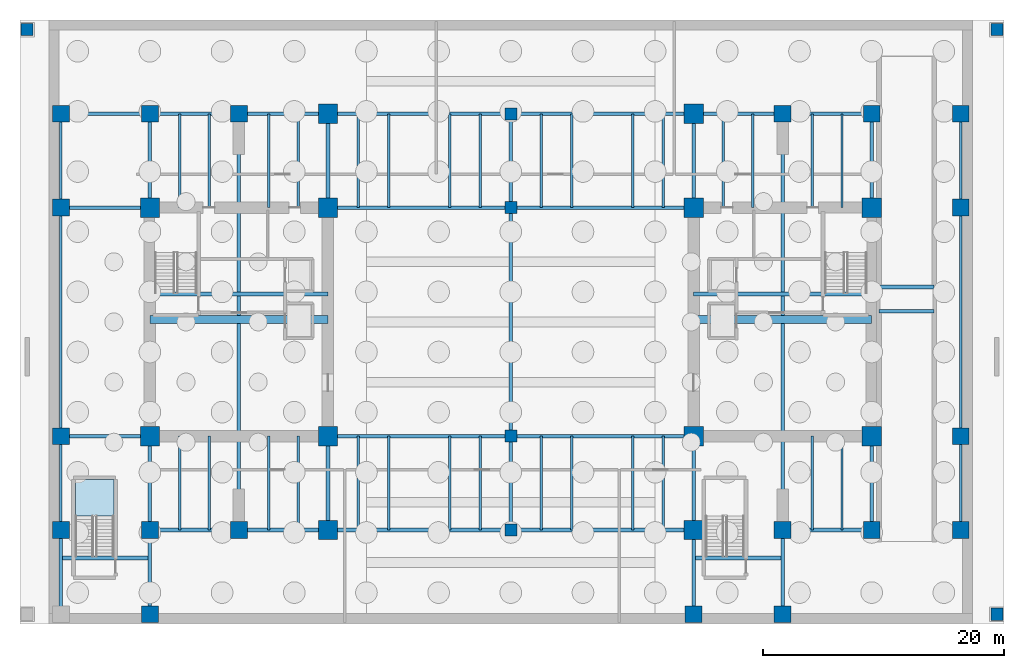
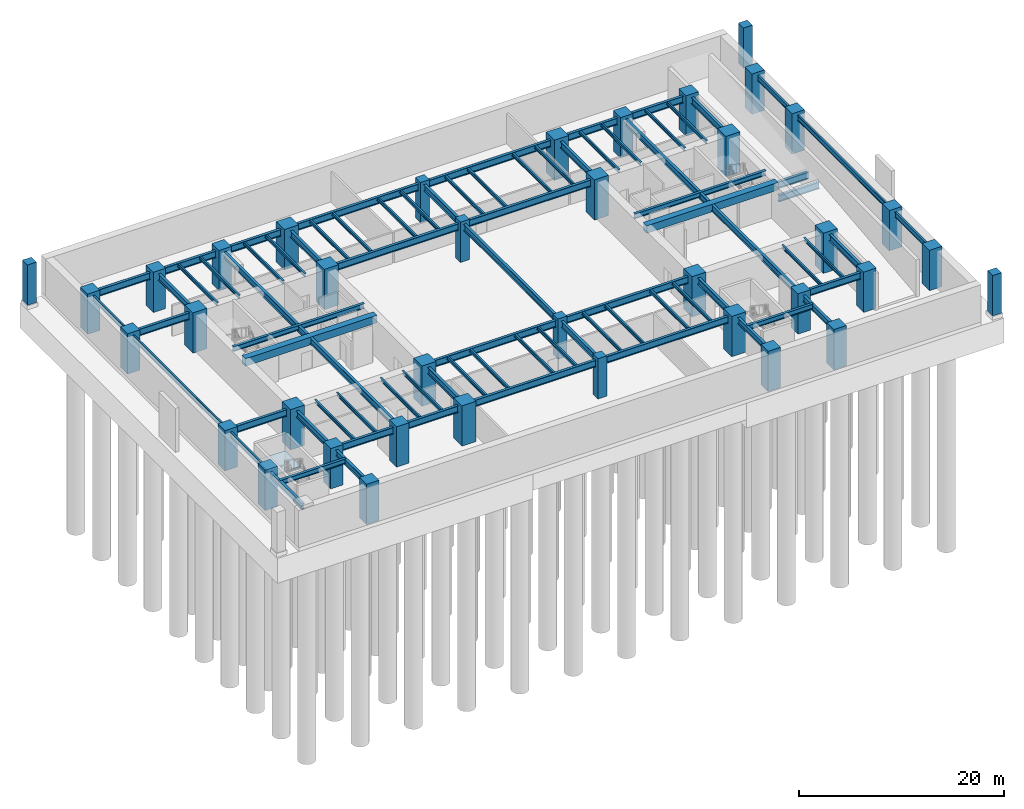
# One storey, part 2 of 8: 79 beams, 38 columns, 1 slab, 1 element without a shape of its own.
"""IFC4 building model written with IfcOpenShell, lengths in metres."""

from ifc_helpers import new_model, si_unit, direction, frame, origin, origin_2d, place, context, subcontext, project, spatial, polyline, rectangle, i_section, outline, extrude, source, transform, mapped, material, layer, layer_set, material_profile, profile_set, type_object, type_shapes, element, aggregate, save


model = new_model("IFC4")

# Units and contexts
model_context = context("Model", 3, precision=1e-05, world=origin(), true_north=direction((0.0, 1.0)))
body_context = subcontext(model_context, "Body", "Model", "MODEL_VIEW")
ifc_project = project(units=[si_unit("LENGTHUNIT", "METRE"), si_unit("AREAUNIT", "SQUARE_METRE"), si_unit("VOLUMEUNIT", "CUBIC_METRE"), si_unit("PLANEANGLEUNIT", "RADIAN"), si_unit("MASSUNIT", "GRAM", prefix="KILO")], contexts=[model_context])

# Site, building, storey
site_placement = place(None, origin())
site = spatial("IfcSite", under=ifc_project, at=site_placement, CompositionType="ELEMENT")
building_placement = place(site_placement, origin())
building = spatial("IfcBuilding", under=site, at=building_placement, Name="Haelvirn Gate Laboratories", CompositionType="ELEMENT")
storey_placement = place(building_placement, frame((0.0, 0.0, -14.39990234375)))
storey = spatial("IfcBuildingStorey", under=building, at=storey_placement, Name="B3", CompositionType="ELEMENT", Elevation=-14.39990234375)

# Columns
ifc_material_1 = material(Name="Concrete C70/85", Category="concrete")
ifc_material_profile_1 = material_profile(ifc_material_1, rectangle(XDim=1.39990234375, YDim=1.39990234375, at=origin_2d()), Name="SRC-1400x1400")
ifc_profile_set_1 = profile_set([ifc_material_profile_1], Name="Concrete C70/85")
column_type_1 = type_object("IfcColumnType", Name="COL-SRC-1400", PredefinedType="COLUMN", material=ifc_profile_set_1)
shared_shape_1 = source(origin(), body_context, "Body", "SweptSolid", [
    extrude(rectangle(XDim=1.39990234375, YDim=1.39990234375, at=origin_2d()), origin(), (0.0, 0.0, 1.0), 4.7998046875),
])
type_shapes(column_type_1, [shared_shape_1])
for number, where, z_axis, x_axis, name in (
    (1, (14.800048828125, 7.0, 0.0), (0.0, 0.0, 1.0), (1.0, 0.0, 0.0), "B3 Column 3B"),
    (2, (14.800048828125, 41.60009765625, 0.0), (0.0, 0.0, 1.0), (1.0, 0.0, 0.0), "B3 Column 3G"),
    (3, (60.0, 7.0, 0.0), (0.0, 0.0, 1.0), (1.0, 0.0, 0.0), "B3 Column 9B"),
    (4, (60.0, 41.60009765625, 0.0), (0.0, 0.0, 1.0), (1.0, 0.0, 0.0), "B3 Column 9G"),
    (5, (7.39990234375, 7.0, 0.0), (0.0, 0.0, 1.0), (1.0, 0.0, 0.0), "B3 Column 2B"),
    (6, (7.39990234375, 41.60009765625, 0.0), (0.0, 0.0, 1.0), (1.0, 0.0, 0.0), "B3 Column 2G"),
    (7, (67.39990234375, 7.0, 0.0), (0.0, 0.0, 1.0), (1.0, 0.0, 0.0), "B3 Column 10B"),
    (8, (67.39990234375, 41.60009765625, 0.0), (0.0, 0.0, 1.0), (1.0, 0.0, 0.0), "B3 Column 10G"),
    (9, (0.0, 7.0, 0.0), (0.0, 0.0, 1.0), (1.0, 0.0, 0.0), "B3 Column 1B"),
    (10, (0.0, 14.800048828125, 0.0), (0.0, 0.0, 1.0), (1.0, 0.0, 0.0), "B3 Column 1C"),
    (11, (0.0, 33.800048828125, 0.0), (0.0, 0.0, 1.0), (1.0, 0.0, 0.0), "B3 Column 1F"),
    (12, (0.0, 41.60009765625, 0.0), (0.0, 0.0, 1.0), (1.0, 0.0, 0.0), "B3 Column 1G"),
    (13, (74.800048828125, 7.0, 0.0), (0.0, 0.0, 1.0), (1.0, 0.0, 0.0), "B3 Column 11B"),
    (14, (74.800048828125, 14.800048828125, 0.0), (0.0, 0.0, 1.0), (1.0, 0.0, 0.0), "B3 Column 11C"),
    (15, (74.800048828125, 33.800048828125, 0.0), (0.0, 0.0, 1.0), (1.0, 0.0, 0.0), "B3 Column 11F"),
    (16, (74.800048828125, 41.60009765625, 0.0), (0.0, 0.0, 1.0), (1.0, 0.0, 0.0), "B3 Column 11G"),
    (17, (7.39990234375, 0.0, 0.0), (0.0, 0.0, 1.0), (1.0, 0.0, 0.0), "B3 Column 2A"),
    (18, (52.60009765625, 0.0, 0.0), (0.0, 0.0, 1.0), (1.0, 0.0, 0.0), "B3 Column 8A"),
    (19, (60.0, 0.0, 0.0), (0.0, 0.0, 1.0), (1.0, 0.0, 0.0), "B3 Column 9A"),
):
    element("IfcColumn", number, at=place(storey_placement, frame(where, z_axis=z_axis, x_axis=x_axis)), inside=storey, type_object=column_type_1, Name=name, PredefinedType="COLUMN", context=body_context, shape_type="MappedRepresentation", body=[
        mapped(shared_shape_1, transform((0.0, 0.0, 0.0), scale=1.0)),
    ])
ifc_material_profile_2 = material_profile(ifc_material_1, rectangle(XDim=1.60009765625, YDim=1.60009765625, at=origin_2d()), Name="SRC-1600x1600")
ifc_profile_set_2 = profile_set([ifc_material_profile_2], Name="Concrete C70/85")
column_type_2 = type_object("IfcColumnType", Name="COL-SRC-1600", PredefinedType="COLUMN", material=ifc_profile_set_2)
shared_shape_2 = source(origin(), body_context, "Body", "SweptSolid", [
    extrude(rectangle(XDim=1.60009765625, YDim=1.60009765625, at=origin_2d()), origin(), (0.0, 0.0, 1.0), 4.7998046875),
])
type_shapes(column_type_2, [shared_shape_2])
for number, where, z_axis, x_axis, name in (
    (20, (22.199951171875, 7.0, 0.0), (0.0, 0.0, 1.0), (1.0, 0.0, 0.0), "B3 Column 4B"),
    (21, (7.39990234375, 14.800048828125, 0.0), (0.0, 0.0, 1.0), (1.0, 0.0, 0.0), "B3 Column 2C"),
    (22, (22.199951171875, 14.800048828125, 0.0), (0.0, 0.0, 1.0), (1.0, 0.0, 0.0), "B3 Column 4C"),
    (23, (7.39990234375, 33.800048828125, 0.0), (0.0, 0.0, 1.0), (1.0, 0.0, 0.0), "B3 Column 2F"),
    (24, (22.199951171875, 33.800048828125, 0.0), (0.0, 0.0, 1.0), (1.0, 0.0, 0.0), "B3 Column 4F"),
    (25, (22.199951171875, 41.60009765625, 0.0), (0.0, 0.0, 1.0), (1.0, 0.0, 0.0), "B3 Column 4G"),
    (26, (52.60009765625, 7.0, 0.0), (0.0, 0.0, 1.0), (1.0, 0.0, 0.0), "B3 Column 8B"),
    (27, (52.60009765625, 14.800048828125, 0.0), (0.0, 0.0, 1.0), (1.0, 0.0, 0.0), "B3 Column 8C"),
    (28, (67.39990234375, 14.800048828125, 0.0), (0.0, 0.0, 1.0), (1.0, 0.0, 0.0), "B3 Column 10C"),
    (29, (52.60009765625, 33.800048828125, 0.0), (0.0, 0.0, 1.0), (1.0, 0.0, 0.0), "B3 Column 8F"),
    (30, (67.39990234375, 33.800048828125, 0.0), (0.0, 0.0, 1.0), (1.0, 0.0, 0.0), "B3 Column 10F"),
    (31, (52.60009765625, 41.60009765625, 0.0), (0.0, 0.0, 1.0), (1.0, 0.0, 0.0), "B3 Column 8G"),
):
    element("IfcColumn", number, at=place(storey_placement, frame(where, z_axis=z_axis, x_axis=x_axis)), inside=storey, type_object=column_type_2, Name=name, PredefinedType="COLUMN", context=body_context, shape_type="MappedRepresentation", body=[
        mapped(shared_shape_2, transform((0.0, 0.0, 0.0), scale=1.0)),
    ])
ifc_material_2 = material(Name="Concrete C60/75", Category="concrete")
ifc_material_profile_3 = material_profile(ifc_material_2, rectangle(XDim=1.0, YDim=1.0, at=origin_2d()), Name="RC-1000x1000")
ifc_profile_set_3 = profile_set([ifc_material_profile_3], Name="Concrete C60/75")
column_type_3 = type_object("IfcColumnType", Name="COL-RC-1000", PredefinedType="COLUMN", material=ifc_profile_set_3)
shared_shape_3 = source(origin(), body_context, "Body", "SweptSolid", [
    extrude(rectangle(XDim=1.0, YDim=1.0, at=origin_2d()), origin(), (0.0, 0.0, 1.0), 4.7998046875),
])
type_shapes(column_type_3, [shared_shape_3])
for number, where, z_axis, x_axis, name in (
    (32, (-2.800048828125, 48.60009765625, 0.0), (0.0, 0.0, 1.0), (1.0, 0.0, 0.0), "B3 Column PWN"),
    (33, (77.800048828125, 0.0, 0.0), (0.0, 0.0, 1.0), (1.0, 0.0, 0.0), "B3 Column PES"),
    (34, (77.800048828125, 48.60009765625, 0.0), (0.0, 0.0, 1.0), (1.0, 0.0, 0.0), "B3 Column PEN"),
    (35, (37.39990234375, 7.0, 0.0), (0.0, 0.0, 1.0), (1.0, 0.0, 0.0), "B3 Column 6B"),
    (36, (37.39990234375, 14.800048828125, 0.0), (0.0, 0.0, 1.0), (1.0, 0.0, 0.0), "B3 Column 6C"),
    (37, (37.39990234375, 33.800048828125, 0.0), (0.0, 0.0, 1.0), (1.0, 0.0, 0.0), "B3 Column 6F"),
    (38, (37.39990234375, 41.60009765625, 0.0), (0.0, 0.0, 1.0), (1.0, 0.0, 0.0), "B3 Column 6G"),
):
    element("IfcColumn", number, at=place(storey_placement, frame(where, z_axis=z_axis, x_axis=x_axis)), inside=storey, type_object=column_type_3, Name=name, PredefinedType="COLUMN", context=body_context, shape_type="MappedRepresentation", body=[
        mapped(shared_shape_3, transform((0.0, 0.0, 0.0), scale=1.0)),
    ])

# Beams
ifc_material_3 = material(Name="Steel SM420", Category="steel")
ifc_material_profile_4 = material_profile(ifc_material_3, i_section(OverallWidth=0.300048828125, OverallDepth=0.800048828125, WebThickness=0.013916015625, FlangeThickness=0.02587890625, at=origin_2d()), Name="H-800x300x14x26")
ifc_profile_set_4 = profile_set([ifc_material_profile_4], Name="Steel SM420")
beam_type_1 = type_object("IfcBeamType", Name="BM-G-800", PredefinedType="BEAM", material=ifc_profile_set_4)
shared_shape_4 = source(origin(), body_context, "Body", "SweptSolid", [
    extrude(i_section(OverallWidth=0.300048828125, OverallDepth=0.800048828125, WebThickness=0.013916015625, FlangeThickness=0.02587890625, at=origin_2d()), origin(), (0.0, 0.0, 1.0), 7.400146484375),
])
for number, where, z_axis, x_axis, name in (
    (39, (7.39990234375, 7.0, 4.02001953125), (1.0, 0.0, 0.0), (0.0, 1.0, 0.0), "B3 Primary Girder Y7.0 (7.4-14.8)"),
    (40, (7.39990234375, 41.60009765625, 4.02001953125), (1.0, 0.0, 0.0), (0.0, 1.0, 0.0), "B3 Primary Girder Y41.6 (7.4-14.8)"),
):
    element("IfcBeam", number, at=place(storey_placement, frame(where, z_axis=z_axis, x_axis=x_axis)), inside=storey, type_object=beam_type_1, Name=name, PredefinedType="BEAM", context=body_context, shape_type="MappedRepresentation", body=[
        mapped(shared_shape_4, transform((0.0, 0.0, 0.0), scale=1.0)),
    ])
shared_shape_5 = source(origin(), body_context, "Body", "SweptSolid", [
    extrude(i_section(OverallWidth=0.300048828125, OverallDepth=0.800048828125, WebThickness=0.013916015625, FlangeThickness=0.02587890625, at=origin_2d()), origin(), (0.0, 0.0, 1.0), 7.39990234375),
])
for number, where, z_axis, x_axis, name in (
    (41, (14.800048828125, 7.0, 4.02001953125), (1.0, 0.0, 0.0), (0.0, 1.0, 0.0), "B3 Primary Girder Y7.0 (14.8-22.2)"),
    (42, (60.0, 7.0, 4.02001953125), (1.0, 0.0, 0.0), (0.0, 1.0, 0.0), "B3 Primary Girder Y7.0 (60.0-67.4)"),
    (43, (0.0, 14.800048828125, 4.02001953125), (1.0, 0.0, 0.0), (0.0, 1.0, 0.0), "B3 Primary Girder Y14.8 (0.0-7.4)"),
    (44, (0.0, 33.800048828125, 4.02001953125), (1.0, 0.0, 0.0), (0.0, 1.0, 0.0), "B3 Primary Girder Y33.8 (0.0-7.4)"),
    (45, (0.0, 41.60009765625, 4.02001953125), (1.0, 0.0, 0.0), (0.0, 1.0, 0.0), "B3 Primary Girder Y41.6 (0.0-7.4)"),
    (46, (14.800048828125, 41.60009765625, 4.02001953125), (1.0, 0.0, 0.0), (0.0, 1.0, 0.0), "B3 Primary Girder Y41.6 (14.8-22.2)"),
    (47, (52.60009765625, 41.60009765625, 4.02001953125), (1.0, 0.0, 0.0), (0.0, 1.0, 0.0), "B3 Primary Girder Y41.6 (52.6-60.0)"),
    (48, (60.0, 41.60009765625, 4.02001953125), (1.0, 0.0, 0.0), (0.0, 1.0, 0.0), "B3 Primary Girder Y41.6 (60.0-67.4)"),
):
    element("IfcBeam", number, at=place(storey_placement, frame(where, z_axis=z_axis, x_axis=x_axis)), inside=storey, type_object=beam_type_1, Name=name, PredefinedType="BEAM", context=body_context, shape_type="MappedRepresentation", body=[
        mapped(shared_shape_5, transform((0.0, 0.0, 0.0), scale=1.0)),
    ])
shared_shape_6 = source(origin(), body_context, "Body", "SweptSolid", [
    extrude(i_section(OverallWidth=0.300048828125, OverallDepth=0.800048828125, WebThickness=0.013916015625, FlangeThickness=0.02587890625, at=origin_2d()), origin(), (0.0, 0.0, 1.0), 15.199951171875),
])
for number, where, z_axis, x_axis, name in (
    (49, (22.199951171875, 7.0, 4.02001953125), (1.0, 0.0, 0.0), (0.0, 1.0, 0.0), "B3 Primary Girder Y7.0 (22.2-37.4)"),
    (50, (22.199951171875, 14.800048828125, 4.02001953125), (1.0, 0.0, 0.0), (0.0, 1.0, 0.0), "B3 Primary Girder Y14.8 (22.2-37.4)"),
    (51, (22.199951171875, 33.800048828125, 4.02001953125), (1.0, 0.0, 0.0), (0.0, 1.0, 0.0), "B3 Primary Girder Y33.8 (22.2-37.4)"),
    (52, (22.199951171875, 41.60009765625, 4.02001953125), (1.0, 0.0, 0.0), (0.0, 1.0, 0.0), "B3 Primary Girder Y41.6 (22.2-37.4)"),
):
    element("IfcBeam", number, at=place(storey_placement, frame(where, z_axis=z_axis, x_axis=x_axis)), inside=storey, type_object=beam_type_1, Name=name, PredefinedType="BEAM", context=body_context, shape_type="MappedRepresentation", body=[
        mapped(shared_shape_6, transform((0.0, 0.0, 0.0), scale=1.0)),
    ])
shared_shape_7 = source(origin(), body_context, "Body", "SweptSolid", [
    extrude(i_section(OverallWidth=0.300048828125, OverallDepth=0.800048828125, WebThickness=0.013916015625, FlangeThickness=0.02587890625, at=origin_2d()), origin(), (0.0, 0.0, 1.0), 15.2001953125),
])
for number, where, z_axis, x_axis, name in (
    (53, (37.39990234375, 7.0, 4.02001953125), (1.0, 0.0, 0.0), (0.0, 1.0, 0.0), "B3 Primary Girder Y7.0 (37.4-52.6)"),
    (54, (37.39990234375, 14.800048828125, 4.02001953125), (1.0, 0.0, 0.0), (0.0, 1.0, 0.0), "B3 Primary Girder Y14.8 (37.4-52.6)"),
    (55, (37.39990234375, 33.800048828125, 4.02001953125), (1.0, 0.0, 0.0), (0.0, 1.0, 0.0), "B3 Primary Girder Y33.8 (37.4-52.6)"),
    (56, (37.39990234375, 41.60009765625, 4.02001953125), (1.0, 0.0, 0.0), (0.0, 1.0, 0.0), "B3 Primary Girder Y41.6 (37.4-52.6)"),
):
    element("IfcBeam", number, at=place(storey_placement, frame(where, z_axis=z_axis, x_axis=x_axis)), inside=storey, type_object=beam_type_1, Name=name, PredefinedType="BEAM", context=body_context, shape_type="MappedRepresentation", body=[
        mapped(shared_shape_7, transform((0.0, 0.0, 0.0), scale=1.0)),
    ])
ifc_material_4 = material(Name="Steel SM355", Category="steel")
ifc_material_profile_5 = material_profile(ifc_material_4, i_section(OverallWidth=0.199951171875, OverallDepth=0.60009765625, WebThickness=0.010986328125, FlangeThickness=0.01708984375, at=origin_2d()), Name="H-600x200x11x17")
ifc_profile_set_5 = profile_set([ifc_material_profile_5], Name="Steel SM355")
beam_type_2 = type_object("IfcBeamType", Name="BM-SP-600", PredefinedType="SPANDREL", material=ifc_profile_set_5)
shared_shape_8 = source(origin(), body_context, "Body", "SweptSolid", [
    extrude(i_section(OverallWidth=0.199951171875, OverallDepth=0.60009765625, WebThickness=0.010986328125, FlangeThickness=0.01708984375, at=origin_2d()), origin(), (0.0, 0.0, 1.0), 7.800048828125),
])
for number, where, z_axis, x_axis, name in (
    (57, (0.0, 7.0, 4.119873046875), (0.0, 1.0, 0.0), (-1.0, 0.0, 0.0), "B3 Perimeter Spandrel X0.0 (7.0-14.8)"),
    (58, (0.0, 33.800048828125, 4.119873046875), (0.0, 1.0, 0.0), (-1.0, 0.0, 0.0), "B3 Perimeter Spandrel X0.0 (33.8-41.6)"),
    (59, (74.800048828125, 7.0, 4.119873046875), (0.0, 1.0, 0.0), (-1.0, 0.0, 0.0), "B3 Perimeter Spandrel X74.8 (7.0-14.8)"),
    (60, (74.800048828125, 33.800048828125, 4.119873046875), (0.0, 1.0, 0.0), (-1.0, 0.0, 0.0), "B3 Perimeter Spandrel X74.8 (33.8-41.6)"),
):
    element("IfcBeam", number, at=place(storey_placement, frame(where, z_axis=z_axis, x_axis=x_axis)), inside=storey, type_object=beam_type_2, Name=name, PredefinedType="SPANDREL", context=body_context, shape_type="MappedRepresentation", body=[
        mapped(shared_shape_8, transform((0.0, 0.0, 0.0), scale=1.0)),
    ])
shared_shape_9 = source(origin(), body_context, "Body", "SweptSolid", [
    extrude(i_section(OverallWidth=0.199951171875, OverallDepth=0.60009765625, WebThickness=0.010986328125, FlangeThickness=0.01708984375, at=origin_2d()), origin(), (0.0, 0.0, 1.0), 19.0),
])
type_shapes(beam_type_2, [shared_shape_8, shared_shape_9])
for number, where, z_axis, x_axis, name in (
    (61, (0.0, 14.800048828125, 4.119873046875), (0.0, 1.0, 0.0), (-1.0, 0.0, 0.0), "B3 Perimeter Spandrel X0.0 (14.8-33.8)"),
    (62, (74.800048828125, 14.800048828125, 4.119873046875), (0.0, 1.0, 0.0), (-1.0, 0.0, 0.0), "B3 Perimeter Spandrel X74.8 (14.8-33.8)"),
):
    element("IfcBeam", number, at=place(storey_placement, frame(where, z_axis=z_axis, x_axis=x_axis)), inside=storey, type_object=beam_type_2, Name=name, PredefinedType="SPANDREL", context=body_context, shape_type="MappedRepresentation", body=[
        mapped(shared_shape_9, transform((0.0, 0.0, 0.0), scale=1.0)),
    ])
ifc_material_profile_6 = material_profile(ifc_material_4, i_section(OverallWidth=0.300048828125, OverallDepth=0.75, WebThickness=0.013916015625, FlangeThickness=0.02392578125, at=origin_2d()), Name="H-750x300x14x24")
ifc_profile_set_6 = profile_set([ifc_material_profile_6], Name="Steel SM355")
beam_type_3 = type_object("IfcBeamType", Name="BM-G-750", PredefinedType="BEAM", material=ifc_profile_set_6)
shared_shape_10 = source(origin(), body_context, "Body", "SweptSolid", [
    extrude(i_section(OverallWidth=0.300048828125, OverallDepth=0.75, WebThickness=0.013916015625, FlangeThickness=0.02392578125, at=origin_2d()), origin(), (0.0, 0.0, 1.0), 7.800048828125),
])
for number, where, z_axis, x_axis, name in (
    (63, (7.39990234375, 7.0, 4.044921875), (0.0, 1.0, 0.0), (-1.0, 0.0, 0.0), "B3 Frame Girder X7.4 (7.0-14.8)"),
    (64, (7.39990234375, 33.800048828125, 4.044921875), (0.0, 1.0, 0.0), (-1.0, 0.0, 0.0), "B3 Frame Girder X7.4 (33.8-41.6)"),
    (65, (22.199951171875, 7.0, 4.044921875), (0.0, 1.0, 0.0), (-1.0, 0.0, 0.0), "B3 Frame Girder X22.2 (7.0-14.8)"),
    (66, (22.199951171875, 33.800048828125, 4.044921875), (0.0, 1.0, 0.0), (-1.0, 0.0, 0.0), "B3 Frame Girder X22.2 (33.8-41.6)"),
    (67, (37.39990234375, 7.0, 4.044921875), (0.0, 1.0, 0.0), (-1.0, 0.0, 0.0), "B3 Frame Girder X37.4 (7.0-14.8)"),
    (68, (37.39990234375, 33.800048828125, 4.044921875), (0.0, 1.0, 0.0), (-1.0, 0.0, 0.0), "B3 Frame Girder X37.4 (33.8-41.6)"),
    (69, (52.60009765625, 7.0, 4.044921875), (0.0, 1.0, 0.0), (-1.0, 0.0, 0.0), "B3 Frame Girder X52.6 (7.0-14.8)"),
    (70, (52.60009765625, 33.800048828125, 4.044921875), (0.0, 1.0, 0.0), (-1.0, 0.0, 0.0), "B3 Frame Girder X52.6 (33.8-41.6)"),
    (71, (67.39990234375, 7.0, 4.044921875), (0.0, 1.0, 0.0), (-1.0, 0.0, 0.0), "B3 Frame Girder X67.4 (7.0-14.8)"),
    (72, (67.39990234375, 33.800048828125, 4.044921875), (0.0, 1.0, 0.0), (-1.0, 0.0, 0.0), "B3 Frame Girder X67.4 (33.8-41.6)"),
):
    element("IfcBeam", number, at=place(storey_placement, frame(where, z_axis=z_axis, x_axis=x_axis)), inside=storey, type_object=beam_type_3, Name=name, PredefinedType="BEAM", context=body_context, shape_type="MappedRepresentation", body=[
        mapped(shared_shape_10, transform((0.0, 0.0, 0.0), scale=1.0)),
    ])
shared_shape_11 = source(origin(), body_context, "Body", "SweptSolid", [
    extrude(i_section(OverallWidth=0.300048828125, OverallDepth=0.75, WebThickness=0.013916015625, FlangeThickness=0.02392578125, at=origin_2d()), origin(), (0.0, 0.0, 1.0), 34.60009765625),
])
for number, where, z_axis, x_axis, name in (
    (73, (14.800048828125, 7.0, 4.044921875), (0.0, 1.0, 0.0), (-1.0, 0.0, 0.0), "B3 Frame Girder X14.8 (7.0-41.6)"),
    (74, (60.0, 7.0, 4.044921875), (0.0, 1.0, 0.0), (-1.0, 0.0, 0.0), "B3 Frame Girder X60.0 (7.0-41.6)"),
):
    element("IfcBeam", number, at=place(storey_placement, frame(where, z_axis=z_axis, x_axis=x_axis)), inside=storey, type_object=beam_type_3, Name=name, PredefinedType="BEAM", context=body_context, shape_type="MappedRepresentation", body=[
        mapped(shared_shape_11, transform((0.0, 0.0, 0.0), scale=1.0)),
    ])
shared_shape_12 = source(origin(), body_context, "Body", "SweptSolid", [
    extrude(i_section(OverallWidth=0.300048828125, OverallDepth=0.75, WebThickness=0.013916015625, FlangeThickness=0.02392578125, at=origin_2d()), origin(), (0.0, 0.0, 1.0), 19.0),
])
type_shapes(beam_type_3, [shared_shape_10, shared_shape_11, shared_shape_12])
beam_1_placement = place(storey_placement, frame((37.39990234375, 14.800048828125, 4.044921875), z_axis=(0.0, 1.0, 0.0), x_axis=(-1.0, 0.0, 0.0)))
element("IfcBeam", 75, at=beam_1_placement, inside=storey, type_object=beam_type_3, Name="B3 Frame Girder X37.4 (14.8-33.8)", PredefinedType="BEAM", context=body_context, shape_type="MappedRepresentation", body=[
    mapped(shared_shape_12, transform((0.0, 0.0, 0.0), scale=1.0)),
])
ifc_material_profile_7 = material_profile(ifc_material_2, rectangle(XDim=0.699951171875, YDim=0.89990234375, at=origin_2d()), Name="RCB-700x900")
ifc_profile_set_7 = profile_set([ifc_material_profile_7], Name="Concrete C60/75")
beam_type_4 = type_object("IfcBeamType", Name="BM-RCB-900", PredefinedType="LINTEL", material=ifc_profile_set_7)
shared_shape_13 = source(origin(), body_context, "Body", "SweptSolid", [
    extrude(rectangle(XDim=0.699951171875, YDim=0.89990234375, at=origin_2d()), origin(), (0.0, 0.0, 1.0), 14.800048828125),
])
beam_2_placement = place(storey_placement, frame((7.39990234375, 24.5, 3.969970703125), z_axis=(1.0, 0.0, 0.0), x_axis=(0.0, 1.0, 0.0)))
element("IfcBeam", 76, at=beam_2_placement, inside=storey, type_object=beam_type_4, Name="B3 West Core Coupling Beam", PredefinedType="LINTEL", context=body_context, shape_type="MappedRepresentation", body=[
    mapped(shared_shape_13, transform((0.0, 0.0, 0.0), scale=1.0)),
])
shared_shape_14 = source(origin(), body_context, "Body", "SweptSolid", [
    extrude(rectangle(XDim=0.699951171875, YDim=0.89990234375, at=origin_2d()), origin(), (0.0, 0.0, 1.0), 14.7998046875),
])
type_shapes(beam_type_4, [shared_shape_13, shared_shape_14])
beam_3_placement = place(storey_placement, frame((52.60009765625, 24.5, 3.969970703125), z_axis=(1.0, 0.0, 0.0), x_axis=(0.0, 1.0, 0.0)))
element("IfcBeam", 77, at=beam_3_placement, inside=storey, type_object=beam_type_4, Name="B3 East Core Coupling Beam", PredefinedType="LINTEL", context=body_context, shape_type="MappedRepresentation", body=[
    mapped(shared_shape_14, transform((0.0, 0.0, 0.0), scale=1.0)),
])
ifc_material_profile_8 = material_profile(ifc_material_4, i_section(OverallWidth=0.300048828125, OverallDepth=0.587890625, WebThickness=0.011962890625, FlangeThickness=0.02001953125, at=origin_2d()), Name="H-588x300x12x20")
ifc_profile_set_8 = profile_set([ifc_material_profile_8], Name="Steel SM355")
beam_type_5 = type_object("IfcBeamType", Name="BM-G-588", PredefinedType="BEAM", material=ifc_profile_set_8)
shared_shape_15 = source(origin(), body_context, "Body", "SweptSolid", [
    extrude(i_section(OverallWidth=0.300048828125, OverallDepth=0.587890625, WebThickness=0.011962890625, FlangeThickness=0.02001953125, at=origin_2d()), origin(), (0.0, 0.0, 1.0), 14.800048828125),
])
beam_4_placement = place(storey_placement, frame((7.39990234375, 26.6201171875, 4.1259765625), z_axis=(1.0, 0.0, 0.0), x_axis=(0.0, 1.0, 0.0)))
element("IfcBeam", 78, at=beam_4_placement, inside=storey, type_object=beam_type_5, Name="B3 Stair ST1 Landing Header", PredefinedType="BEAM", context=body_context, shape_type="MappedRepresentation", body=[
    mapped(shared_shape_15, transform((0.0, 0.0, 0.0), scale=1.0)),
])
shared_shape_16 = source(origin(), body_context, "Body", "SweptSolid", [
    extrude(i_section(OverallWidth=0.300048828125, OverallDepth=0.587890625, WebThickness=0.011962890625, FlangeThickness=0.02001953125, at=origin_2d()), origin(), (0.0, 0.0, 1.0), 14.7998046875),
])
beam_5_placement = place(storey_placement, frame((52.60009765625, 26.6201171875, 4.1259765625), z_axis=(1.0, 0.0, 0.0), x_axis=(0.0, 1.0, 0.0)))
element("IfcBeam", 79, at=beam_5_placement, inside=storey, type_object=beam_type_5, Name="B3 Stair ST2 Landing Header", PredefinedType="BEAM", context=body_context, shape_type="MappedRepresentation", body=[
    mapped(shared_shape_16, transform((0.0, 0.0, 0.0), scale=1.0)),
])
ifc_material_profile_9 = material_profile(ifc_material_4, i_section(OverallWidth=0.300048828125, OverallDepth=0.699951171875, WebThickness=0.012939453125, FlangeThickness=0.02392578125, at=origin_2d()), Name="H-700x300x13x24")
ifc_profile_set_9 = profile_set([ifc_material_profile_9], Name="Steel SM355")
beam_type_6 = type_object("IfcBeamType", Name="BM-G-700", PredefinedType="BEAM", material=ifc_profile_set_9)
shared_shape_17 = source(origin(), body_context, "Body", "SweptSolid", [
    extrude(i_section(OverallWidth=0.300048828125, OverallDepth=0.699951171875, WebThickness=0.012939453125, FlangeThickness=0.02392578125, at=origin_2d()), origin(), (0.0, 0.0, 1.0), 7.0),
])
type_shapes(beam_type_6, [shared_shape_17])
for number, where, z_axis, x_axis, name in (
    (80, (0.0, 0.0, 4.06982421875), (0.0, 1.0, 0.0), (-1.0, 0.0, 0.0), "B3 Stair ST3 West Trimmer Girder"),
    (81, (7.39990234375, 0.0, 4.06982421875), (0.0, 1.0, 0.0), (-1.0, 0.0, 0.0), "B3 Stair ST3 East Trimmer Girder"),
    (82, (52.60009765625, 0.0, 4.06982421875), (0.0, 1.0, 0.0), (-1.0, 0.0, 0.0), "B3 Stair ST4 West Trimmer Girder"),
    (83, (60.0, 0.0, 4.06982421875), (0.0, 1.0, 0.0), (-1.0, 0.0, 0.0), "B3 Stair ST4 East Trimmer Girder"),
):
    element("IfcBeam", number, at=place(storey_placement, frame(where, z_axis=z_axis, x_axis=x_axis)), inside=storey, type_object=beam_type_6, Name=name, PredefinedType="BEAM", context=body_context, shape_type="MappedRepresentation", body=[
        mapped(shared_shape_17, transform((0.0, 0.0, 0.0), scale=1.0)),
    ])
shared_shape_18 = source(origin(), body_context, "Body", "SweptSolid", [
    extrude(i_section(OverallWidth=0.300048828125, OverallDepth=0.587890625, WebThickness=0.011962890625, FlangeThickness=0.02001953125, at=origin_2d()), origin(), (0.0, 0.0, 1.0), 7.39990234375),
])
type_shapes(beam_type_5, [shared_shape_15, shared_shape_16, shared_shape_18])
for number, where, z_axis, x_axis, name in (
    (84, (0.0, 4.679931640625, 4.1259765625), (1.0, 0.0, 0.0), (0.0, 1.0, 0.0), "B3 Stair ST3 Landing Header"),
    (85, (52.60009765625, 4.679931640625, 4.1259765625), (1.0, 0.0, 0.0), (0.0, 1.0, 0.0), "B3 Stair ST4 Landing Header"),
):
    element("IfcBeam", number, at=place(storey_placement, frame(where, z_axis=z_axis, x_axis=x_axis)), inside=storey, type_object=beam_type_5, Name=name, PredefinedType="BEAM", context=body_context, shape_type="MappedRepresentation", body=[
        mapped(shared_shape_18, transform((0.0, 0.0, 0.0), scale=1.0)),
    ])
ifc_material_profile_10 = material_profile(ifc_material_4, i_section(OverallWidth=0.199951171875, OverallDepth=0.39990234375, WebThickness=0.008056640625, FlangeThickness=0.012939453125, at=origin_2d()), Name="H-400x200x8x13")
ifc_profile_set_10 = profile_set([ifc_material_profile_10], Name="Steel SM355")
beam_type_7 = type_object("IfcBeamType", Name="BM-J-400", PredefinedType="JOIST", material=ifc_profile_set_10)
shared_shape_19 = source(origin(), body_context, "Body", "SweptSolid", [
    extrude(i_section(OverallWidth=0.199951171875, OverallDepth=0.39990234375, WebThickness=0.008056640625, FlangeThickness=0.012939453125, at=origin_2d()), origin(), (0.0, 0.0, 1.0), 7.800048828125),
])
type_shapes(beam_type_7, [shared_shape_19])
for number, where, z_axis, x_axis, name in (
    (86, (9.8701171875, 7.0, 4.219970703125), (0.0, 1.0, 0.0), (-1.0, 0.0, 0.0), "B3 Composite Lab Joist South X9.87"),
    (87, (9.8701171875, 33.800048828125, 4.219970703125), (0.0, 1.0, 0.0), (-1.0, 0.0, 0.0), "B3 Composite Lab Joist North X9.87"),
    (88, (12.330078125, 7.0, 4.219970703125), (0.0, 1.0, 0.0), (-1.0, 0.0, 0.0), "B3 Composite Lab Joist South X12.33"),
    (89, (12.330078125, 33.800048828125, 4.219970703125), (0.0, 1.0, 0.0), (-1.0, 0.0, 0.0), "B3 Composite Lab Joist North X12.33"),
    (90, (17.27001953125, 7.0, 4.219970703125), (0.0, 1.0, 0.0), (-1.0, 0.0, 0.0), "B3 Composite Lab Joist South X17.27"),
    (91, (17.27001953125, 33.800048828125, 4.219970703125), (0.0, 1.0, 0.0), (-1.0, 0.0, 0.0), "B3 Composite Lab Joist North X17.27"),
    (92, (19.72998046875, 7.0, 4.219970703125), (0.0, 1.0, 0.0), (-1.0, 0.0, 0.0), "B3 Composite Lab Joist South X19.73"),
    (93, (19.72998046875, 33.800048828125, 4.219970703125), (0.0, 1.0, 0.0), (-1.0, 0.0, 0.0), "B3 Composite Lab Joist North X19.73"),
    (94, (24.72998046875, 7.0, 4.219970703125), (0.0, 1.0, 0.0), (-1.0, 0.0, 0.0), "B3 Composite Lab Joist South X24.73"),
    (95, (24.72998046875, 33.800048828125, 4.219970703125), (0.0, 1.0, 0.0), (-1.0, 0.0, 0.0), "B3 Composite Lab Joist North X24.73"),
    (96, (27.27001953125, 7.0, 4.219970703125), (0.0, 1.0, 0.0), (-1.0, 0.0, 0.0), "B3 Composite Lab Joist South X27.27"),
    (97, (27.27001953125, 33.800048828125, 4.219970703125), (0.0, 1.0, 0.0), (-1.0, 0.0, 0.0), "B3 Composite Lab Joist North X27.27"),
    (98, (32.330078125, 7.0, 4.219970703125), (0.0, 1.0, 0.0), (-1.0, 0.0, 0.0), "B3 Composite Lab Joist South X32.33"),
    (99, (32.330078125, 33.800048828125, 4.219970703125), (0.0, 1.0, 0.0), (-1.0, 0.0, 0.0), "B3 Composite Lab Joist North X32.33"),
    (100, (34.8701171875, 7.0, 4.219970703125), (0.0, 1.0, 0.0), (-1.0, 0.0, 0.0), "B3 Composite Lab Joist South X34.87"),
    (101, (34.8701171875, 33.800048828125, 4.219970703125), (0.0, 1.0, 0.0), (-1.0, 0.0, 0.0), "B3 Composite Lab Joist North X34.87"),
    (102, (39.929931640625, 7.0, 4.219970703125), (0.0, 1.0, 0.0), (-1.0, 0.0, 0.0), "B3 Composite Lab Joist South X39.93"),
    (103, (39.929931640625, 33.800048828125, 4.219970703125), (0.0, 1.0, 0.0), (-1.0, 0.0, 0.0), "B3 Composite Lab Joist North X39.93"),
    (104, (42.469970703125, 7.0, 4.219970703125), (0.0, 1.0, 0.0), (-1.0, 0.0, 0.0), "B3 Composite Lab Joist South X42.47"),
    (105, (42.469970703125, 33.800048828125, 4.219970703125), (0.0, 1.0, 0.0), (-1.0, 0.0, 0.0), "B3 Composite Lab Joist North X42.47"),
    (106, (47.530029296875, 7.0, 4.219970703125), (0.0, 1.0, 0.0), (-1.0, 0.0, 0.0), "B3 Composite Lab Joist South X47.53"),
    (107, (47.530029296875, 33.800048828125, 4.219970703125), (0.0, 1.0, 0.0), (-1.0, 0.0, 0.0), "B3 Composite Lab Joist North X47.53"),
    (108, (50.070068359375, 7.0, 4.219970703125), (0.0, 1.0, 0.0), (-1.0, 0.0, 0.0), "B3 Composite Lab Joist South X50.07"),
    (109, (50.070068359375, 33.800048828125, 4.219970703125), (0.0, 1.0, 0.0), (-1.0, 0.0, 0.0), "B3 Composite Lab Joist North X50.07"),
    (110, (55.070068359375, 33.800048828125, 4.219970703125), (0.0, 1.0, 0.0), (-1.0, 0.0, 0.0), "B3 Composite Lab Joist North X55.07"),
    (111, (57.530029296875, 33.800048828125, 4.219970703125), (0.0, 1.0, 0.0), (-1.0, 0.0, 0.0), "B3 Composite Lab Joist North X57.53"),
    (112, (62.469970703125, 7.0, 4.219970703125), (0.0, 1.0, 0.0), (-1.0, 0.0, 0.0), "B3 Composite Lab Joist South X62.47"),
    (113, (62.469970703125, 33.800048828125, 4.219970703125), (0.0, 1.0, 0.0), (-1.0, 0.0, 0.0), "B3 Composite Lab Joist North X62.47"),
    (114, (64.929931640625, 7.0, 4.219970703125), (0.0, 1.0, 0.0), (-1.0, 0.0, 0.0), "B3 Composite Lab Joist South X64.93"),
    (115, (64.929931640625, 33.800048828125, 4.219970703125), (0.0, 1.0, 0.0), (-1.0, 0.0, 0.0), "B3 Composite Lab Joist North X64.93"),
):
    element("IfcBeam", number, at=place(storey_placement, frame(where, z_axis=z_axis, x_axis=x_axis)), inside=storey, type_object=beam_type_7, Name=name, PredefinedType="JOIST", context=body_context, shape_type="MappedRepresentation", body=[
        mapped(shared_shape_19, transform((0.0, 0.0, 0.0), scale=1.0)),
    ])
shared_shape_20 = source(origin(), body_context, "Body", "SweptSolid", [
    extrude(i_section(OverallWidth=0.300048828125, OverallDepth=0.800048828125, WebThickness=0.013916015625, FlangeThickness=0.02587890625, at=origin_2d()), origin(), (0.0, 0.0, 1.0), 4.60009765625),
])
type_shapes(beam_type_1, [shared_shape_4, shared_shape_5, shared_shape_6, shared_shape_7, shared_shape_20])
for number, where, z_axis, x_axis, name in (
    (116, (68.0, 25.199951171875, 1.699951171875), (1.0, 0.0, 0.0), (0.0, 1.0, 0.0), "B3 Vehicle Ramp Landing Support Girder 1"),
    (117, (68.0, 27.199951171875, 1.699951171875), (1.0, 0.0, 0.0), (0.0, 1.0, 0.0), "B3 Vehicle Ramp Landing Support Girder 2"),
):
    element("IfcBeam", number, at=place(storey_placement, frame(where, z_axis=z_axis, x_axis=x_axis)), inside=storey, type_object=beam_type_1, Name=name, PredefinedType="BEAM", context=body_context, shape_type="MappedRepresentation", body=[
        mapped(shared_shape_20, transform((0.0, 0.0, 0.0), scale=1.0)),
    ])

# Stair, slab
ifc_material_5 = material(Name="Concrete C40/50", Category="concrete")
stair_type = type_object("IfcStairType", Name="ST-DOG-1500-R26", PredefinedType="HALF_TURN_STAIR", material=ifc_material_5)
stair_placement = place(storey_placement, origin())
stair = element("IfcStair", 118, at=stair_placement, inside=storey, type_object=stair_type, Name="B3 Escape Stair ST3", PredefinedType="HALF_TURN_STAIR")
ifc_layer = layer(ifc_material_5, 0.199951171875, Name="SL-STAIR-LND")
ifc_layer_set = layer_set([ifc_layer], Name="Concrete C40/50")
slab_type = type_object("IfcSlabType", Name="SL-STAIR-LND", PredefinedType="LANDING", material=ifc_layer_set)
slab_placement = place(storey_placement, frame((0.0, 0.0, 2.199951171875)))
slab = element("IfcSlab", 119, at=slab_placement, type_object=slab_type, Name="ST3 landing 1", PredefinedType="LANDING", context=body_context, shape_type="SweptSolid", body=[
    extrude(outline(polyline([(4.39990234375, 8.159912109375), (4.39990234375, 11.199951171875), (1.199951171875, 11.199951171875), (1.199951171875, 8.159912109375), (4.39990234375, 8.159912109375)])), origin(), (0.0, 0.0, 1.0), 0.199951171875),
])
aggregate(stair, [slab])

save(model, "model.ifc")
